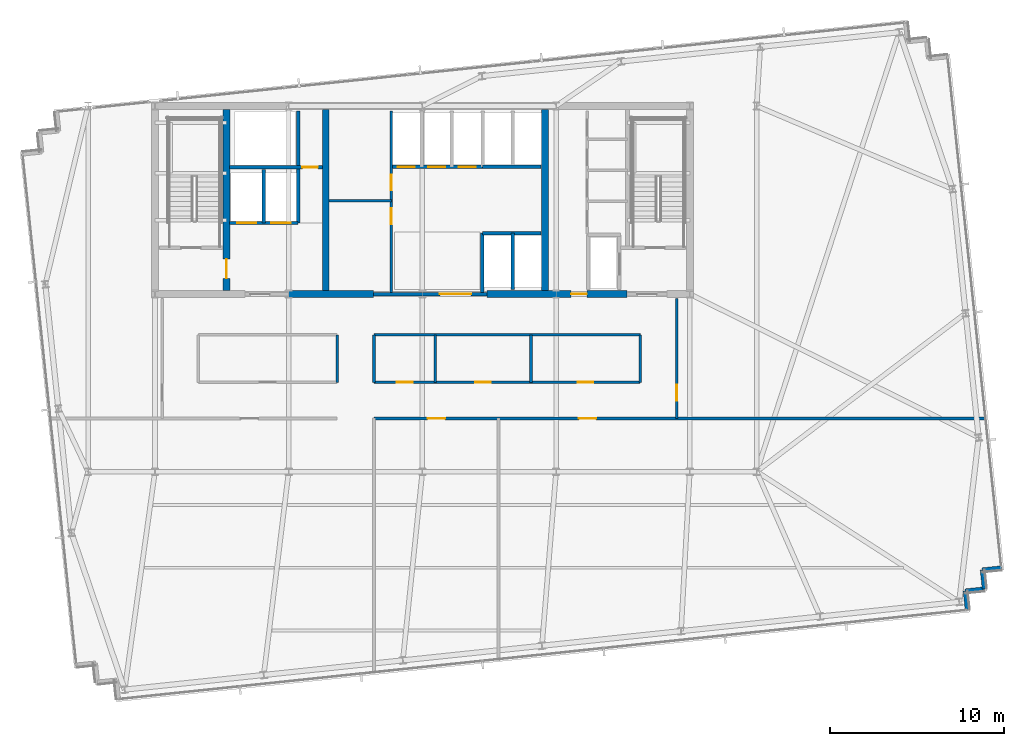
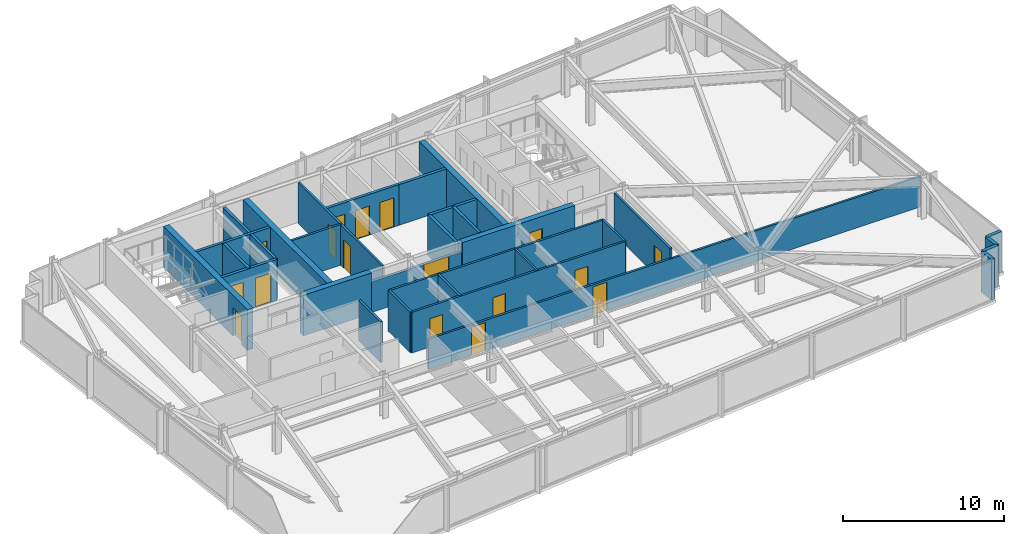
# One storey, part 27 of 32: 30 walls, 17 doors, 17 openings.
"""IFC4 building model written with IfcOpenShell, lengths in metres."""

from ifc_helpers import new_model, si_unit, direction, frame, frame_2d, origin, place, context, subcontext, project, spatial, rectangle, extrude, material, layer, layer_set, type_object, element, fill, save


model = new_model("IFC4")

# Units and contexts
model_context = context("Model", 3, precision=1e-05, world=origin(), true_north=direction((0.0, 1.0)))
body_context = subcontext(model_context, "Body", "Model", "MODEL_VIEW")
ifc_project = project(units=[si_unit("LENGTHUNIT", "METRE"), si_unit("AREAUNIT", "SQUARE_METRE"), si_unit("VOLUMEUNIT", "CUBIC_METRE"), si_unit("PLANEANGLEUNIT", "RADIAN"), si_unit("MASSUNIT", "GRAM", prefix="KILO")], contexts=[model_context])

# Site, building, storey
site_placement = place(None, origin())
site = spatial("IfcSite", under=ifc_project, at=site_placement, CompositionType="ELEMENT")
building_placement = place(site_placement, origin())
building = spatial("IfcBuilding", under=site, at=building_placement, Name="Yelkora Congress Tower", CompositionType="ELEMENT")
storey_placement = place(building_placement, frame((0.0, 0.0, 207.800048828125)))
storey = spatial("IfcBuildingStorey", under=building, at=storey_placement, Name="L57", CompositionType="ELEMENT", Elevation=207.800048828125)

# Wall
ifc_material_1 = material(Name="Concrete C50/60", Category="concrete")
ifc_layer_1 = layer(ifc_material_1, 0.39990234375)
ifc_layer_set_1 = layer_set([ifc_layer_1], Name="Concrete C50/60")
wall_type_1 = type_object("IfcWallType", Name="WALL-CORE-INT-400", PredefinedType="SHEAR", material=ifc_layer_set_1)
wall_1_placement = place(storey_placement, frame((30.719970703125, 35.39990234375, 0.0), z_axis=(0.0, 0.0, 1.0), x_axis=(1.0, 0.0, 0.0)))
element("IfcWall", 1, at=wall_1_placement, inside=storey, type_object=wall_type_1, Name="L57 Rear Core South-Center Shear Pier", PredefinedType="SHEAR", context=body_context, shape_type="SweptSolid", body=[
    extrude(rectangle(XDim=4.880126953125, YDim=0.39990234375, at=frame_2d((2.43994140625, 0.0))), origin(), (0.0, 0.0, 1.0), 3.079833984375),
])

# Wall, opening, door
wall_2_placement = place(storey_placement, frame((42.10009765625, 35.39990234375, 0.0), z_axis=(0.0, 0.0, 1.0), x_axis=(1.0, 0.0, 0.0)))
wall_2 = element("IfcWall", 2, at=wall_2_placement, inside=storey, type_object=wall_type_1, Name="L57 Rear Core South-East Shear Wall A", PredefinedType="SHEAR", context=body_context, shape_type="SweptSolid", body=[
    extrude(rectangle(XDim=8.0498046875, YDim=0.39990234375, at=frame_2d((4.02490234375, 0.0))), origin(), (0.0, 0.0, 1.0), 3.079833984375),
])
opening_1_placement = place(wall_2_placement, frame((4.85009765625, 0.0, 0.0)))
opening_1 = element("IfcOpeningElement", 3, at=opening_1_placement, cuts=wall_2, Name="Opening DR-090F6", PredefinedType="OPENING", context=body_context, shape_type="SweptSolid", body=[
    extrude(rectangle(XDim=0.89990234375, YDim=2.14990234375, at=frame_2d((0.449951171875, 1.074951171875))), frame((0.0, 0.2099609375, 0.0), z_axis=(0.0, -1.0, 0.0), x_axis=(1.0, 0.0, 0.0)), (0.0, 0.0, 1.0), 0.419921875),
])
ifc_material_2 = material(Name="Painted steel riser fire door leaf", Category="steel")
door_type_1 = type_object("IfcDoorType", Name="DOOR-FD60-900", OperationType="NOTDEFINED", PredefinedType="DOOR", material=ifc_material_2)
door_1_placement = place(opening_1_placement, origin())
door_1 = element("IfcDoor", 4, at=door_1_placement, inside=storey, type_object=door_type_1, Name="L57 Core Washroom Lobby Door", OperationType="SINGLE_SWING_RIGHT", OverallHeight=2.14990234375, OverallWidth=0.89990234375, PredefinedType="DOOR", context=body_context, shape_type="SweptSolid", body=[
    extrude(rectangle(XDim=0.89990234375, YDim=2.14990234375, at=frame_2d((0.449951171875, 1.074951171875))), frame((0.0, 0.02490234375, 0.0), z_axis=(0.0, -1.0, 0.0), x_axis=(1.0, 0.0, 0.0)), (0.0, 0.0, 1.0), 0.050048828125),
])
fill(opening_1, door_1)

wall_3_placement = place(storey_placement, frame((27.14990234375, 35.60009765625, 0.0), z_axis=(0.0, 0.0, 1.0), x_axis=(0.0, 1.0, 0.0)))
wall_3 = element("IfcWall", 5, at=wall_3_placement, inside=storey, type_object=wall_type_1, Name="L57 Rear Core Cross Shear Wall C1", PredefinedType="SHEAR", context=body_context, shape_type="SweptSolid", body=[
    extrude(rectangle(XDim=10.39990234375, YDim=0.39990234375, at=frame_2d((5.199951171875, 0.0))), origin(), (0.0, 0.0, 1.0), 3.079833984375),
])
opening_2_placement = place(wall_3_placement, frame((0.699951171875, 0.0, 0.0)))
opening_2 = element("IfcOpeningElement", 6, at=opening_2_placement, cuts=wall_3, Name="Opening DR-110F9", PredefinedType="OPENING", context=body_context, shape_type="SweptSolid", body=[
    extrude(rectangle(XDim=1.10009765625, YDim=2.14990234375, at=frame_2d((0.550048828125, 1.074951171875))), frame((0.0, 0.2099609375, 0.0), z_axis=(0.0, -1.0, 0.0), x_axis=(1.0, 0.0, 0.0)), (0.0, 0.0, 1.0), 0.419921875),
])
ifc_material_3 = material(Name="Galvanised steel fire door leaf", Category="steel")
door_type_2 = type_object("IfcDoorType", Name="DOOR-FD90-1100", OperationType="NOTDEFINED", PredefinedType="DOOR", material=ifc_material_3)
door_2_placement = place(opening_2_placement, origin())
door_2 = element("IfcDoor", 7, at=door_2_placement, inside=storey, type_object=door_type_2, Name="L57 Firefighting Stair Transfer Door", OperationType="SINGLE_SWING_LEFT", OverallHeight=2.14990234375, OverallWidth=1.10009765625, PredefinedType="DOOR", context=body_context, shape_type="SweptSolid", body=[
    extrude(rectangle(XDim=1.10009765625, YDim=2.14990234375, at=frame_2d((0.550048828125, 1.074951171875))), frame((0.0, 0.02490234375, 0.0), z_axis=(0.0, -1.0, 0.0), x_axis=(1.0, 0.0, 0.0)), (0.0, 0.0, 1.0), 0.050048828125),
])
fill(opening_2, door_2)

# Walls
for number, where, z_axis, x_axis, name in (
    (8, (32.85009765625, 35.60009765625, 0.0), (0.0, 0.0, 1.0), (0.0, 1.0, 0.0), "L57 Rear Core Cross Shear Wall C2"),
    (9, (45.449951171875, 35.60009765625, 0.0), (0.0, 0.0, 1.0), (0.0, 1.0, 0.0), "L57 Rear Core Cross Shear Wall C3"),
):
    element("IfcWall", number, at=place(storey_placement, frame(where, z_axis=z_axis, x_axis=x_axis)), inside=storey, type_object=wall_type_1, Name=name, PredefinedType="SHEAR", context=body_context, shape_type="SweptSolid", body=[
        extrude(rectangle(XDim=10.39990234375, YDim=0.39990234375, at=frame_2d((5.199951171875, 0.0))), origin(), (0.0, 0.0, 1.0), 3.079833984375),
    ])
ifc_material_4 = material(Name="Concrete C40/50", Category="concrete")
ifc_layer_2 = layer(ifc_material_4, 0.239990234375)
ifc_layer_set_2 = layer_set([ifc_layer_2], Name="Concrete C40/50")
wall_type_2 = type_object("IfcWallType", Name="WALL-EXT-LIMESTONE-240", PredefinedType="SOLIDWALL", material=ifc_layer_set_2)
for number, where, z_axis, x_axis, name in (
    (10, (71.654052734375, 19.67041015625, 0.0), (0.0, 0.0, 1.0), (-0.994521251134, -0.104534592565, 0.0), "L57 Serrated Corner Limestone Pier 16"),
    (11, (70.56005859375, 19.555419921875, 0.0), (0.0, 0.0, 1.0), (0.104534592565, -0.994521251134, 0.0), "L57 Serrated Corner Limestone Pier 17"),
    (12, (70.675048828125, 18.46142578125, 0.0), (0.0, 0.0, 1.0), (-0.994521251134, -0.104534592565, 0.0), "L57 Serrated Corner Limestone Pier 18"),
    (13, (69.5810546875, 18.346435546875, 0.0), (0.0, 0.0, 1.0), (0.104534592565, -0.994521251134, 0.0), "L57 Serrated Corner Limestone Pier 19"),
):
    element("IfcWall", number, at=place(storey_placement, frame(where, z_axis=z_axis, x_axis=x_axis)), inside=storey, type_object=wall_type_2, Name=name, PredefinedType="SOLIDWALL", context=body_context, shape_type="SweptSolid", body=[
        extrude(rectangle(XDim=1.10009765625, YDim=0.239990234375, at=frame_2d((0.550048828125, 0.0))), origin(), (0.0, 0.0, 1.0), 3.079833984375),
    ])

# Wall, openings, doors
ifc_material_5 = material(Name="Acoustic metal-stud gypsum partition", Category="gypsum")
ifc_layer_3 = layer(ifc_material_5, 0.14990234375)
ifc_layer_set_3 = layer_set([ifc_layer_3], Name="Acoustic metal-stud gypsum partition")
wall_type_3 = type_object("IfcWallType", Name="WALL-INT-150-NR", PredefinedType="PARTITIONING", material=ifc_layer_set_3)
wall_4_placement = place(storey_placement, frame((35.6201171875, 28.25, 0.0), z_axis=(0.0, 0.0, 1.0), x_axis=(1.0, 0.0, 0.0)))
wall_4 = element("IfcWall", 14, at=wall_4_placement, inside=storey, type_object=wall_type_3, Name="L57 South Spine Wall East", PredefinedType="PARTITIONING", context=body_context, shape_type="SweptSolid", body=[
    extrude(rectangle(XDim=35.1923828125, YDim=0.14990234375, at=frame_2d((17.59619140625, 0.0))), origin(), (0.0, 0.0, 1.0), 2.31298828125),
])
opening_3_placement = place(wall_4_placement, frame((3.080078125, 0.0, 0.0)))
opening_3 = element("IfcOpeningElement", 15, at=opening_3_placement, cuts=wall_4, Name="Opening DR-100N", PredefinedType="OPENING", context=body_context, shape_type="SweptSolid", body=[
    extrude(rectangle(XDim=1.0, YDim=2.14990234375, at=frame_2d((0.5, 1.074951171875))), frame((0.0, 0.0849609375, 0.0), z_axis=(0.0, -1.0, 0.0), x_axis=(1.0, 0.0, 0.0)), (0.0, 0.0, 1.0), 0.169921875),
])
opening_4_placement = place(wall_4_placement, frame((11.764892578125, 0.0, 0.0)))
opening_4 = element("IfcOpeningElement", 16, at=opening_4_placement, cuts=wall_4, Name="Opening DR-100N", PredefinedType="OPENING", context=body_context, shape_type="SweptSolid", body=[
    extrude(rectangle(XDim=1.0, YDim=2.14990234375, at=frame_2d((0.5, 1.074951171875))), frame((0.0, 0.0849609375, 0.0), z_axis=(0.0, -1.0, 0.0), x_axis=(1.0, 0.0, 0.0)), (0.0, 0.0, 1.0), 0.169921875),
])
ifc_material_6 = material(Name="Solid-core Anatolian oak veneer door", Category="wood")
door_type_3 = type_object("IfcDoorType", Name="DOOR-INT-1000", OperationType="NOTDEFINED", PredefinedType="DOOR", material=ifc_material_6)
door_3_placement = place(opening_3_placement, origin())
door_3 = element("IfcDoor", 17, at=door_3_placement, inside=storey, type_object=door_type_3, Name="L57 Store Document Door", OperationType="SINGLE_SWING_RIGHT", OverallHeight=2.14990234375, OverallWidth=1.0, PredefinedType="DOOR", context=body_context, shape_type="SweptSolid", body=[
    extrude(rectangle(XDim=1.0, YDim=2.14990234375, at=frame_2d((0.5, 1.074951171875))), frame((0.0, 0.02490234375, 0.0), z_axis=(0.0, -1.0, 0.0), x_axis=(1.0, 0.0, 0.0)), (0.0, 0.0, 1.0), 0.050048828125),
])
fill(opening_3, door_3)
door_4_placement = place(opening_4_placement, origin())
door_4 = element("IfcDoor", 18, at=door_4_placement, inside=storey, type_object=door_type_3, Name="L57 Research Office Door", OperationType="SINGLE_SWING_LEFT", OverallHeight=2.14990234375, OverallWidth=1.0, PredefinedType="DOOR", context=body_context, shape_type="SweptSolid", body=[
    extrude(rectangle(XDim=1.0, YDim=2.14990234375, at=frame_2d((0.5, 1.074951171875))), frame((0.0, 0.02490234375, 0.0), z_axis=(0.0, -1.0, 0.0), x_axis=(1.0, 0.0, 0.0)), (0.0, 0.0, 1.0), 0.050048828125),
])
fill(opening_4, door_4)

# Wall, opening, door
wall_5_placement = place(storey_placement, frame((53.0, 28.25, 0.0), z_axis=(0.0, 0.0, 1.0), x_axis=(0.0, 1.0, 0.0)))
wall_5 = element("IfcWall", 19, at=wall_5_placement, inside=storey, type_object=wall_type_3, Name="L57 Partition Wall 33", PredefinedType="PARTITIONING", context=body_context, shape_type="SweptSolid", body=[
    extrude(rectangle(XDim=6.889892578125, YDim=0.14990234375, at=frame_2d((3.44482421875, 0.0))), origin(), (0.0, 0.0, 1.0), 3.079833984375),
])
opening_5_placement = place(wall_5_placement, frame((1.030029296875, 0.0, 0.0)))
opening_5 = element("IfcOpeningElement", 20, at=opening_5_placement, cuts=wall_5, Name="Opening DR-090N", PredefinedType="OPENING", context=body_context, shape_type="SweptSolid", body=[
    extrude(rectangle(XDim=0.89990234375, YDim=2.14990234375, at=frame_2d((0.449951171875, 1.074951171875))), frame((0.0, 0.0849609375, 0.0), z_axis=(0.0, -1.0, 0.0), x_axis=(1.0, 0.0, 0.0)), (0.0, 0.0, 1.0), 0.169921875),
])
ifc_material_7 = material(Name="Moisture-resistant laminate door leaf", Category="wood")
door_type_4 = type_object("IfcDoorType", Name="DOOR-INT-900", OperationType="NOTDEFINED", PredefinedType="DOOR", material=ifc_material_7)
door_5_placement = place(opening_5_placement, origin())
door_5 = element("IfcDoor", 21, at=door_5_placement, inside=storey, type_object=door_type_4, Name="L57 E Wing Door", OperationType="SINGLE_SWING_LEFT", OverallHeight=2.14990234375, OverallWidth=0.89990234375, PredefinedType="DOOR", context=body_context, shape_type="SweptSolid", body=[
    extrude(rectangle(XDim=0.89990234375, YDim=2.14990234375, at=frame_2d((0.449951171875, 1.074951171875))), frame((0.0, 0.02490234375, 0.0), z_axis=(0.0, -1.0, 0.0), x_axis=(1.0, 0.0, 0.0)), (0.0, 0.0, 1.0), 0.050048828125),
])
fill(opening_5, door_5)

# Walls
for number, where, z_axis, x_axis, name in (
    (22, (50.919921875, 30.330078125, 0.0), (0.0, 0.0, 1.0), (0.0, 1.0, 0.0), "L57 Partition Wall 35"),
    (23, (33.5, 30.330078125, 0.0), (0.0, 0.0, 1.0), (0.0, 1.0, 0.0), "L57 Partition Wall 36"),
    (24, (35.6201171875, 30.330078125, 0.0), (0.0, 0.0, 1.0), (0.0, 1.0, 0.0), "L57 Partition Wall 37"),
):
    element("IfcWall", number, at=place(storey_placement, frame(where, z_axis=z_axis, x_axis=x_axis)), inside=storey, type_object=wall_type_3, Name=name, PredefinedType="PARTITIONING", context=body_context, shape_type="SweptSolid", body=[
        extrude(rectangle(XDim=2.719970703125, YDim=0.14990234375, at=frame_2d((1.35986328125, 0.0))), origin(), (0.0, 0.0, 1.0), 3.079833984375),
    ])
wall_6_placement = place(storey_placement, frame((35.6201171875, 33.050048828125, 0.0), z_axis=(0.0, 0.0, 1.0), x_axis=(1.0, 0.0, 0.0)))
element("IfcWall", 25, at=wall_6_placement, inside=storey, type_object=wall_type_3, Name="L57 Partition Wall 39", PredefinedType="PARTITIONING", context=body_context, shape_type="SweptSolid", body=[
    extrude(rectangle(XDim=15.2998046875, YDim=0.14990234375, at=frame_2d((7.64990234375, 0.0))), origin(), (0.0, 0.0, 1.0), 3.079833984375),
])
for number, where, z_axis, x_axis, name in (
    (26, (39.14208984375, 30.330078125, 0.0), (0.0, 0.0, 1.0), (0.0, 1.0, 0.0), "L57 Partition Wall 41"),
    (27, (44.638916015625, 30.330078125, 0.0), (0.0, 0.0, 1.0), (0.0, 1.0, 0.0), "L57 Partition Wall 42"),
):
    element("IfcWall", number, at=place(storey_placement, frame(where, z_axis=z_axis, x_axis=x_axis)), inside=storey, type_object=wall_type_3, Name=name, PredefinedType="PARTITIONING", context=body_context, shape_type="SweptSolid", body=[
        extrude(rectangle(XDim=2.719970703125, YDim=0.14990234375, at=frame_2d((1.35986328125, 0.0))), origin(), (0.0, 0.0, 1.0), 3.079833984375),
    ])

# Wall, openings, doors
wall_7_placement = place(storey_placement, frame((35.6298828125, 30.330078125, 0.0), z_axis=(0.0, 0.0, 1.0), x_axis=(1.0, 0.0, 0.0)))
wall_7 = element("IfcWall", 28, at=wall_7_placement, inside=storey, type_object=wall_type_3, Name="L57 Partition Wall 43", PredefinedType="PARTITIONING", context=body_context, shape_type="SweptSolid", body=[
    extrude(rectangle(XDim=15.27001953125, YDim=0.14990234375, at=frame_2d((7.635009765625, 0.0))), origin(), (0.0, 0.0, 1.0), 3.079833984375),
])
opening_6_placement = place(wall_7_placement, frame((1.305908203125, 0.0, 0.0)))
opening_6 = element("IfcOpeningElement", 29, at=opening_6_placement, cuts=wall_7, Name="Opening DR-090N", PredefinedType="OPENING", context=body_context, shape_type="SweptSolid", body=[
    extrude(rectangle(XDim=0.89990234375, YDim=2.14990234375, at=frame_2d((0.449951171875, 1.074951171875))), frame((0.0, 0.0849609375, 0.0), z_axis=(0.0, -1.0, 0.0), x_axis=(1.0, 0.0, 0.0)), (0.0, 0.0, 1.0), 0.169921875),
])
opening_7_placement = place(wall_7_placement, frame((5.810546875, 0.0, 0.0)))
opening_7 = element("IfcOpeningElement", 30, at=opening_7_placement, cuts=wall_7, Name="Opening DR-090N", PredefinedType="OPENING", context=body_context, shape_type="SweptSolid", body=[
    extrude(rectangle(XDim=0.89990234375, YDim=2.14990234375, at=frame_2d((0.449951171875, 1.074951171875))), frame((0.0, 0.0849609375, 0.0), z_axis=(0.0, -1.0, 0.0), x_axis=(1.0, 0.0, 0.0)), (0.0, 0.0, 1.0), 0.169921875),
])
opening_8_placement = place(wall_7_placement, frame((11.689453125, 0.0, 0.0)))
opening_8 = element("IfcOpeningElement", 31, at=opening_8_placement, cuts=wall_7, Name="Opening DR-090N", PredefinedType="OPENING", context=body_context, shape_type="SweptSolid", body=[
    extrude(rectangle(XDim=0.89990234375, YDim=2.14990234375, at=frame_2d((0.449951171875, 1.074951171875))), frame((0.0, 0.0849609375, 0.0), z_axis=(0.0, -1.0, 0.0), x_axis=(1.0, 0.0, 0.0)), (0.0, 0.0, 1.0), 0.169921875),
])
door_6_placement = place(opening_6_placement, origin())
door_6 = element("IfcDoor", 32, at=door_6_placement, inside=storey, type_object=door_type_4, Name="L57 Huddle Seminar Room Door", OperationType="SINGLE_SWING_LEFT", OverallHeight=2.14990234375, OverallWidth=0.89990234375, PredefinedType="DOOR", context=body_context, shape_type="SweptSolid", body=[
    extrude(rectangle(XDim=0.89990234375, YDim=2.14990234375, at=frame_2d((0.449951171875, 1.074951171875))), frame((0.0, 0.02490234375, 0.0), z_axis=(0.0, -1.0, 0.0), x_axis=(1.0, 0.0, 0.0)), (0.0, 0.0, 1.0), 0.050048828125),
])
fill(opening_6, door_6)
door_7_placement = place(opening_7_placement, origin())
door_7 = element("IfcDoor", 33, at=door_7_placement, inside=storey, type_object=door_type_4, Name="L57 Breakout Training Room Door", OperationType="SINGLE_SWING_RIGHT", OverallHeight=2.14990234375, OverallWidth=0.89990234375, PredefinedType="DOOR", context=body_context, shape_type="SweptSolid", body=[
    extrude(rectangle(XDim=0.89990234375, YDim=2.14990234375, at=frame_2d((0.449951171875, 1.074951171875))), frame((0.0, 0.02490234375, 0.0), z_axis=(0.0, -1.0, 0.0), x_axis=(1.0, 0.0, 0.0)), (0.0, 0.0, 1.0), 0.050048828125),
])
fill(opening_7, door_7)
door_8_placement = place(opening_8_placement, origin())
door_8 = element("IfcDoor", 34, at=door_8_placement, inside=storey, type_object=door_type_4, Name="L57 Executive Boardroom Door", OperationType="SINGLE_SWING_LEFT", OverallHeight=2.14990234375, OverallWidth=0.89990234375, PredefinedType="DOOR", context=body_context, shape_type="SweptSolid", body=[
    extrude(rectangle(XDim=0.89990234375, YDim=2.14990234375, at=frame_2d((0.449951171875, 1.074951171875))), frame((0.0, 0.02490234375, 0.0), z_axis=(0.0, -1.0, 0.0), x_axis=(1.0, 0.0, 0.0)), (0.0, 0.0, 1.0), 0.050048828125),
])
fill(opening_8, door_8)

# Wall
ifc_material_8 = material(Name="Twin-stud fire-rated gypsum partition", Category="gypsum")
ifc_layer_4 = layer(ifc_material_8, 0.14990234375)
ifc_layer_set_4 = layer_set([ifc_layer_4], Name="Twin-stud fire-rated gypsum partition")
wall_type_4 = type_object("IfcWallType", Name="WALL-INT-150-R60", PredefinedType="PARTITIONING", material=ifc_layer_set_4)
wall_8_placement = place(storey_placement, frame((33.050048828125, 40.75, 0.0), z_axis=(0.0, 0.0, 1.0), x_axis=(1.0, 0.0, 0.0)))
element("IfcWall", 35, at=wall_8_placement, inside=storey, type_object=wall_type_4, Name="L57 Partition Wall 11", PredefinedType="PARTITIONING", context=body_context, shape_type="SweptSolid", body=[
    extrude(rectangle(XDim=3.570068359375, YDim=0.14990234375, at=frame_2d((1.78515625, 0.0))), origin(), (0.0, 0.0, 1.0), 3.079833984375),
])

# Wall, openings, doors
wall_9_placement = place(storey_placement, frame((36.6201171875, 35.5, 0.0), z_axis=(0.0, 0.0, 1.0), x_axis=(0.0, 1.0, 0.0)))
wall_9 = element("IfcWall", 36, at=wall_9_placement, inside=storey, type_object=wall_type_4, Name="L57 Partition Wall 12", PredefinedType="PARTITIONING", context=body_context, shape_type="SweptSolid", body=[
    extrude(rectangle(XDim=10.419921875, YDim=0.14990234375, at=frame_2d((5.2099609375, 0.0))), origin(), (0.0, 0.0, 1.0), 3.079833984375),
])
opening_9_placement = place(wall_9_placement, frame((3.919921875, 0.0, 0.0)))
opening_9 = element("IfcOpeningElement", 37, at=opening_9_placement, cuts=wall_9, Name="Opening DR-090F6", PredefinedType="OPENING", context=body_context, shape_type="SweptSolid", body=[
    extrude(rectangle(XDim=0.89990234375, YDim=2.14990234375, at=frame_2d((0.449951171875, 1.074951171875))), frame((0.0, 0.0849609375, 0.0), z_axis=(0.0, -1.0, 0.0), x_axis=(1.0, 0.0, 0.0)), (0.0, 0.0, 1.0), 0.169921875),
])
opening_10_placement = place(wall_9_placement, frame((5.85009765625, 0.0, 0.0)))
opening_10 = element("IfcOpeningElement", 38, at=opening_10_placement, cuts=wall_9, Name="Opening DR-090F6", PredefinedType="OPENING", context=body_context, shape_type="SweptSolid", body=[
    extrude(rectangle(XDim=0.89990234375, YDim=2.14990234375, at=frame_2d((0.449951171875, 1.074951171875))), frame((0.0, 0.0849609375, 0.0), z_axis=(0.0, -1.0, 0.0), x_axis=(1.0, 0.0, 0.0)), (0.0, 0.0, 1.0), 0.169921875),
])
door_9_placement = place(opening_9_placement, origin())
door_9 = element("IfcDoor", 39, at=door_9_placement, inside=storey, type_object=door_type_1, Name="L57 Telecom Store Door", OperationType="SINGLE_SWING_RIGHT", OverallHeight=2.14990234375, OverallWidth=0.89990234375, PredefinedType="DOOR", context=body_context, shape_type="SweptSolid", body=[
    extrude(rectangle(XDim=0.89990234375, YDim=2.14990234375, at=frame_2d((0.449951171875, 1.074951171875))), frame((0.0, 0.02490234375, 0.0), z_axis=(0.0, -1.0, 0.0), x_axis=(1.0, 0.0, 0.0)), (0.0, 0.0, 1.0), 0.050048828125),
])
fill(opening_9, door_9)
door_10_placement = place(opening_10_placement, origin())
door_10 = element("IfcDoor", 40, at=door_10_placement, inside=storey, type_object=door_type_1, Name="L57 Archive Store Door", OperationType="SINGLE_SWING_LEFT", OverallHeight=2.14990234375, OverallWidth=0.89990234375, PredefinedType="DOOR", context=body_context, shape_type="SweptSolid", body=[
    extrude(rectangle(XDim=0.89990234375, YDim=2.14990234375, at=frame_2d((0.449951171875, 1.074951171875))), frame((0.0, 0.02490234375, 0.0), z_axis=(0.0, -1.0, 0.0), x_axis=(1.0, 0.0, 0.0)), (0.0, 0.0, 1.0), 0.050048828125),
])
fill(opening_10, door_10)

ifc_material_9 = material(Name="Autoclaved aerated concrete blockwork", Category="masonry")
ifc_layer_5 = layer(ifc_material_9, 0.199951171875)
ifc_layer_set_5 = layer_set([ifc_layer_5], Name="Autoclaved aerated concrete blockwork")
wall_type_5 = type_object("IfcWallType", Name="WALL-INT-200-R120", PredefinedType="PARTITIONING", material=ifc_layer_set_5)
wall_10_placement = place(storey_placement, frame((27.320068359375, 39.47998046875, 0.0), z_axis=(0.0, 0.0, 1.0), x_axis=(1.0, 0.0, 0.0)))
wall_10 = element("IfcWall", 41, at=wall_10_placement, inside=storey, type_object=wall_type_5, Name="L57 Firefighting Lift Front Wall", PredefinedType="PARTITIONING", context=body_context, shape_type="SweptSolid", body=[
    extrude(rectangle(XDim=3.93994140625, YDim=0.199951171875, at=frame_2d((1.969970703125, 0.0))), origin(), (0.0, 0.0, 1.0), 3.079833984375),
])
opening_11_placement = place(wall_10_placement, frame((0.449951171875, 0.0, 0.0)))
opening_11 = element("IfcOpeningElement", 42, at=opening_11_placement, cuts=wall_10, Name="Opening LD-FF11", PredefinedType="OPENING", context=body_context, shape_type="SweptSolid", body=[
    extrude(rectangle(XDim=1.10009765625, YDim=2.199951171875, at=frame_2d((0.550048828125, 1.10009765625))), frame((0.0, 0.10986328125, 0.0), z_axis=(0.0, -1.0, 0.0), x_axis=(1.0, 0.0, 0.0)), (0.0, 0.0, 1.0), 0.219970703125),
])
opening_12_placement = place(wall_10_placement, frame((2.409912109375, 0.0, 0.0)))
opening_12 = element("IfcOpeningElement", 43, at=opening_12_placement, cuts=wall_10, Name="Opening LD-FF11", PredefinedType="OPENING", context=body_context, shape_type="SweptSolid", body=[
    extrude(rectangle(XDim=1.10009765625, YDim=2.199951171875, at=frame_2d((0.550048828125, 1.10009765625))), frame((0.0, 0.10986328125, 0.0), z_axis=(0.0, -1.0, 0.0), x_axis=(1.0, 0.0, 0.0)), (0.0, 0.0, 1.0), 0.219970703125),
])
ifc_material_10 = material(Name="Brushed stainless steel 316L landing door", Category="steel")
door_type_5 = type_object("IfcDoorType", Name="DOOR-LIFT-FF-1100", OperationType="DOUBLE_DOOR_SLIDING", PredefinedType="DOOR", material=ifc_material_10)
door_11_placement = place(opening_11_placement, origin())
door_11 = element("IfcDoor", 44, at=door_11_placement, inside=storey, type_object=door_type_5, Name="Lift Landing Door LF-FF1 L57", OperationType="DOUBLE_DOOR_SLIDING", OverallHeight=2.199951171875, OverallWidth=1.10009765625, PredefinedType="DOOR", context=body_context, shape_type="SweptSolid", body=[
    extrude(rectangle(XDim=1.10009765625, YDim=2.199951171875, at=frame_2d((0.550048828125, 1.10009765625))), frame((0.0, 0.02490234375, 0.0), z_axis=(0.0, -1.0, 0.0), x_axis=(1.0, 0.0, 0.0)), (0.0, 0.0, 1.0), 0.050048828125),
])
fill(opening_11, door_11)
door_12_placement = place(opening_12_placement, origin())
door_12 = element("IfcDoor", 45, at=door_12_placement, inside=storey, type_object=door_type_5, Name="Lift Landing Door LF-FF2 L57", OperationType="DOUBLE_DOOR_SLIDING", OverallHeight=2.199951171875, OverallWidth=1.10009765625, PredefinedType="DOOR", context=body_context, shape_type="SweptSolid", body=[
    extrude(rectangle(XDim=1.10009765625, YDim=2.199951171875, at=frame_2d((0.550048828125, 1.10009765625))), frame((0.0, 0.02490234375, 0.0), z_axis=(0.0, -1.0, 0.0), x_axis=(1.0, 0.0, 0.0)), (0.0, 0.0, 1.0), 0.050048828125),
])
fill(opening_12, door_12)

# Walls
wall_11_placement = place(storey_placement, frame((29.300048828125, 39.47998046875, 0.0), z_axis=(0.0, 0.0, 1.0), x_axis=(0.0, 1.0, 0.0)))
element("IfcWall", 46, at=wall_11_placement, inside=storey, type_object=wall_type_5, Name="L57 Partition Wall 4", PredefinedType="PARTITIONING", context=body_context, shape_type="SweptSolid", body=[
    extrude(rectangle(XDim=3.070068359375, YDim=0.199951171875, at=frame_2d((1.53515625, 0.0))), origin(), (0.0, 0.0, 1.0), 3.079833984375),
])
wall_12_placement = place(storey_placement, frame((31.260009765625, 39.47998046875, 0.0), z_axis=(0.0, 0.0, 1.0), x_axis=(0.0, 1.0, 0.0)))
element("IfcWall", 47, at=wall_12_placement, inside=storey, type_object=wall_type_5, Name="L57 Partition Wall 5", PredefinedType="PARTITIONING", context=body_context, shape_type="SweptSolid", body=[
    extrude(rectangle(XDim=6.43994140625, YDim=0.199951171875, at=frame_2d((3.219970703125, 0.0))), origin(), (0.0, 0.0, 1.0), 3.079833984375),
])

# Wall, opening, door
wall_13_placement = place(storey_placement, frame((27.320068359375, 42.679931640625, 0.0), z_axis=(0.0, 0.0, 1.0), x_axis=(1.0, 0.0, 0.0)))
wall_13 = element("IfcWall", 48, at=wall_13_placement, inside=storey, type_object=wall_type_5, Name="L57 Smoke Riser South Wall", PredefinedType="PARTITIONING", context=body_context, shape_type="SweptSolid", body=[
    extrude(rectangle(XDim=5.329833984375, YDim=0.199951171875, at=frame_2d((2.6650390625, 0.0))), origin(), (0.0, 0.0, 1.0), 3.079833984375),
])
opening_13_placement = place(wall_13_placement, frame((4.179931640625, 0.0, 0.0)))
opening_13 = element("IfcOpeningElement", 49, at=opening_13_placement, cuts=wall_13, Name="Opening DR-090F6", PredefinedType="OPENING", context=body_context, shape_type="SweptSolid", body=[
    extrude(rectangle(XDim=0.89990234375, YDim=2.14990234375, at=frame_2d((0.449951171875, 1.074951171875))), frame((0.0, 0.10986328125, 0.0), z_axis=(0.0, -1.0, 0.0), x_axis=(1.0, 0.0, 0.0)), (0.0, 0.0, 1.0), 0.219970703125),
])
door_13_placement = place(opening_13_placement, origin())
door_13 = element("IfcDoor", 50, at=door_13_placement, inside=storey, type_object=door_type_1, Name="L57 Riser Access Door", OperationType="SINGLE_SWING_LEFT", OverallHeight=2.14990234375, OverallWidth=0.89990234375, PredefinedType="DOOR", context=body_context, shape_type="SweptSolid", body=[
    extrude(rectangle(XDim=0.89990234375, YDim=2.14990234375, at=frame_2d((0.449951171875, 1.074951171875))), frame((0.0, 0.02490234375, 0.0), z_axis=(0.0, -1.0, 0.0), x_axis=(1.0, 0.0, 0.0)), (0.0, 0.0, 1.0), 0.050048828125),
])
fill(opening_13, door_13)

wall_14_placement = place(storey_placement, frame((35.60009765625, 35.39990234375, 0.0), z_axis=(0.0, 0.0, 1.0), x_axis=(1.0, 0.0, 0.0)))
wall_14 = element("IfcWall", 51, at=wall_14_placement, inside=storey, type_object=wall_type_5, Name="L57 Main Lift Lobby South Portal Wall", PredefinedType="PARTITIONING", context=body_context, shape_type="SweptSolid", body=[
    extrude(rectangle(XDim=6.5, YDim=0.199951171875, at=frame_2d((3.25, 0.0))), origin(), (0.0, 0.0, 1.0), 2.31298828125),
])
opening_14_placement = place(wall_14_placement, frame((3.800048828125, 0.0, 0.0)))
opening_14 = element("IfcOpeningElement", 52, at=opening_14_placement, cuts=wall_14, Name="Opening DR-180D", PredefinedType="OPENING", context=body_context, shape_type="SweptSolid", body=[
    extrude(rectangle(XDim=1.800048828125, YDim=2.300048828125, at=frame_2d((0.89990234375, 1.14990234375))), frame((0.0, 0.10986328125, 0.0), z_axis=(0.0, -1.0, 0.0), x_axis=(1.0, 0.0, 0.0)), (0.0, 0.0, 1.0), 0.219970703125),
])
ifc_material_11 = material(Name="Acoustic double congress hall doors", Category="wood")
door_type_6 = type_object("IfcDoorType", Name="DOOR-DBL-1800", OperationType="DOUBLE_DOOR_SINGLE_SWING", PredefinedType="DOOR", material=ifc_material_11)
door_14_placement = place(opening_14_placement, origin())
door_14 = element("IfcDoor", 53, at=door_14_placement, inside=storey, type_object=door_type_6, Name="L57 Main Lift Lobby Portal Door", OperationType="DOUBLE_DOOR_SINGLE_SWING", OverallHeight=2.300048828125, OverallWidth=1.800048828125, PredefinedType="DOOR", context=body_context, shape_type="SweptSolid", body=[
    extrude(rectangle(XDim=1.800048828125, YDim=2.300048828125, at=frame_2d((0.89990234375, 1.14990234375))), frame((0.0, 0.02490234375, 0.0), z_axis=(0.0, -1.0, 0.0), x_axis=(1.0, 0.0, 0.0)), (0.0, 0.0, 1.0), 0.050048828125),
])
fill(opening_14, door_14)

# Wall, openings, doors
wall_15_placement = place(storey_placement, frame((36.60009765625, 42.699951171875, 0.0), z_axis=(0.0, 0.0, 1.0), x_axis=(1.0, 0.0, 0.0)))
wall_15 = element("IfcWall", 54, at=wall_15_placement, inside=storey, type_object=wall_type_5, Name="L57 Partition Wall 8", PredefinedType="PARTITIONING", context=body_context, shape_type="SweptSolid", body=[
    extrude(rectangle(XDim=5.25, YDim=0.199951171875, at=frame_2d((2.625, 0.0))), origin(), (0.0, 0.0, 1.0), 3.079833984375),
])
opening_15_placement = place(wall_15_placement, frame((0.375, 0.0, 0.0)))
opening_15 = element("IfcOpeningElement", 55, at=opening_15_placement, cuts=wall_15, Name="Opening LD-PS10", PredefinedType="OPENING", context=body_context, shape_type="SweptSolid", body=[
    extrude(rectangle(XDim=1.0, YDim=2.199951171875, at=frame_2d((0.5, 1.10009765625))), frame((0.0, 0.10986328125, 0.0), z_axis=(0.0, -1.0, 0.0), x_axis=(1.0, 0.0, 0.0)), (0.0, 0.0, 1.0), 0.219970703125),
])
opening_16_placement = place(wall_15_placement, frame((2.125, 0.0, 0.0)))
opening_16 = element("IfcOpeningElement", 56, at=opening_16_placement, cuts=wall_15, Name="Opening LD-PS10", PredefinedType="OPENING", context=body_context, shape_type="SweptSolid", body=[
    extrude(rectangle(XDim=1.0, YDim=2.199951171875, at=frame_2d((0.5, 1.10009765625))), frame((0.0, 0.10986328125, 0.0), z_axis=(0.0, -1.0, 0.0), x_axis=(1.0, 0.0, 0.0)), (0.0, 0.0, 1.0), 0.219970703125),
])
opening_17_placement = place(wall_15_placement, frame((3.875, 0.0, 0.0)))
opening_17 = element("IfcOpeningElement", 57, at=opening_17_placement, cuts=wall_15, Name="Opening LD-PS10", PredefinedType="OPENING", context=body_context, shape_type="SweptSolid", body=[
    extrude(rectangle(XDim=1.0, YDim=2.199951171875, at=frame_2d((0.5, 1.10009765625))), frame((0.0, 0.10986328125, 0.0), z_axis=(0.0, -1.0, 0.0), x_axis=(1.0, 0.0, 0.0)), (0.0, 0.0, 1.0), 0.219970703125),
])
ifc_material_12 = material(Name="Champagne stainless steel landing door", Category="steel")
door_type_7 = type_object("IfcDoorType", Name="DOOR-LIFT-PAS-1000", OperationType="DOUBLE_DOOR_SLIDING", PredefinedType="DOOR", material=ifc_material_12)
door_15_placement = place(opening_15_placement, origin())
door_15 = element("IfcDoor", 58, at=door_15_placement, inside=storey, type_object=door_type_7, Name="Lift Landing Door LF-P9 L57", OperationType="DOUBLE_DOOR_SLIDING", OverallHeight=2.199951171875, OverallWidth=1.0, PredefinedType="DOOR", context=body_context, shape_type="SweptSolid", body=[
    extrude(rectangle(XDim=1.0, YDim=2.199951171875, at=frame_2d((0.5, 1.10009765625))), frame((0.0, 0.02490234375, 0.0), z_axis=(0.0, -1.0, 0.0), x_axis=(1.0, 0.0, 0.0)), (0.0, 0.0, 1.0), 0.050048828125),
])
fill(opening_15, door_15)
door_16_placement = place(opening_16_placement, origin())
door_16 = element("IfcDoor", 59, at=door_16_placement, inside=storey, type_object=door_type_7, Name="Lift Landing Door LF-P10 L57", OperationType="DOUBLE_DOOR_SLIDING", OverallHeight=2.199951171875, OverallWidth=1.0, PredefinedType="DOOR", context=body_context, shape_type="SweptSolid", body=[
    extrude(rectangle(XDim=1.0, YDim=2.199951171875, at=frame_2d((0.5, 1.10009765625))), frame((0.0, 0.02490234375, 0.0), z_axis=(0.0, -1.0, 0.0), x_axis=(1.0, 0.0, 0.0)), (0.0, 0.0, 1.0), 0.050048828125),
])
fill(opening_16, door_16)
door_17_placement = place(opening_17_placement, origin())
door_17 = element("IfcDoor", 60, at=door_17_placement, inside=storey, type_object=door_type_7, Name="Lift Landing Door LF-P11 L57", OperationType="DOUBLE_DOOR_SLIDING", OverallHeight=2.199951171875, OverallWidth=1.0, PredefinedType="DOOR", context=body_context, shape_type="SweptSolid", body=[
    extrude(rectangle(XDim=1.0, YDim=2.199951171875, at=frame_2d((0.5, 1.10009765625))), frame((0.0, 0.02490234375, 0.0), z_axis=(0.0, -1.0, 0.0), x_axis=(1.0, 0.0, 0.0)), (0.0, 0.0, 1.0), 0.050048828125),
])
fill(opening_17, door_17)

# Walls
for number, where, z_axis, x_axis, name in (
    (61, (41.85009765625, 38.89990234375, 0.0), (0.0, 0.0, 1.0), (1.0, 0.0, 0.0), "L57 Partition Wall 13"),
    (62, (41.85009765625, 42.699951171875, 0.0), (0.0, 0.0, 1.0), (1.0, 0.0, 0.0), "L57 Partition Wall 14"),
):
    element("IfcWall", number, at=place(storey_placement, frame(where, z_axis=z_axis, x_axis=x_axis)), inside=storey, type_object=wall_type_5, Name=name, PredefinedType="PARTITIONING", context=body_context, shape_type="SweptSolid", body=[
        extrude(rectangle(XDim=3.369873046875, YDim=0.199951171875, at=frame_2d((1.68505859375, 0.0))), origin(), (0.0, 0.0, 1.0), 3.079833984375),
    ])
wall_16_placement = place(storey_placement, frame((43.60009765625, 35.64990234375, 0.0), z_axis=(0.0, 0.0, 1.0), x_axis=(0.0, 1.0, 0.0)))
element("IfcWall", 63, at=wall_16_placement, inside=storey, type_object=wall_type_5, Name="L57 Partition Wall 15", PredefinedType="PARTITIONING", context=body_context, shape_type="SweptSolid", body=[
    extrude(rectangle(XDim=3.25, YDim=0.199951171875, at=frame_2d((1.625, 0.0))), origin(), (0.0, 0.0, 1.0), 3.079833984375),
])
wall_17_placement = place(storey_placement, frame((41.85009765625, 35.5, 0.0), z_axis=(0.0, 0.0, 1.0), x_axis=(0.0, 1.0, 0.0)))
element("IfcWall", 64, at=wall_17_placement, inside=storey, type_object=wall_type_5, Name="L57 Partition Wall 17", PredefinedType="PARTITIONING", context=body_context, shape_type="SweptSolid", body=[
    extrude(rectangle(XDim=3.39990234375, YDim=0.199951171875, at=frame_2d((1.699951171875, 0.0))), origin(), (0.0, 0.0, 1.0), 3.079833984375),
])

save(model, "model.ifc")
